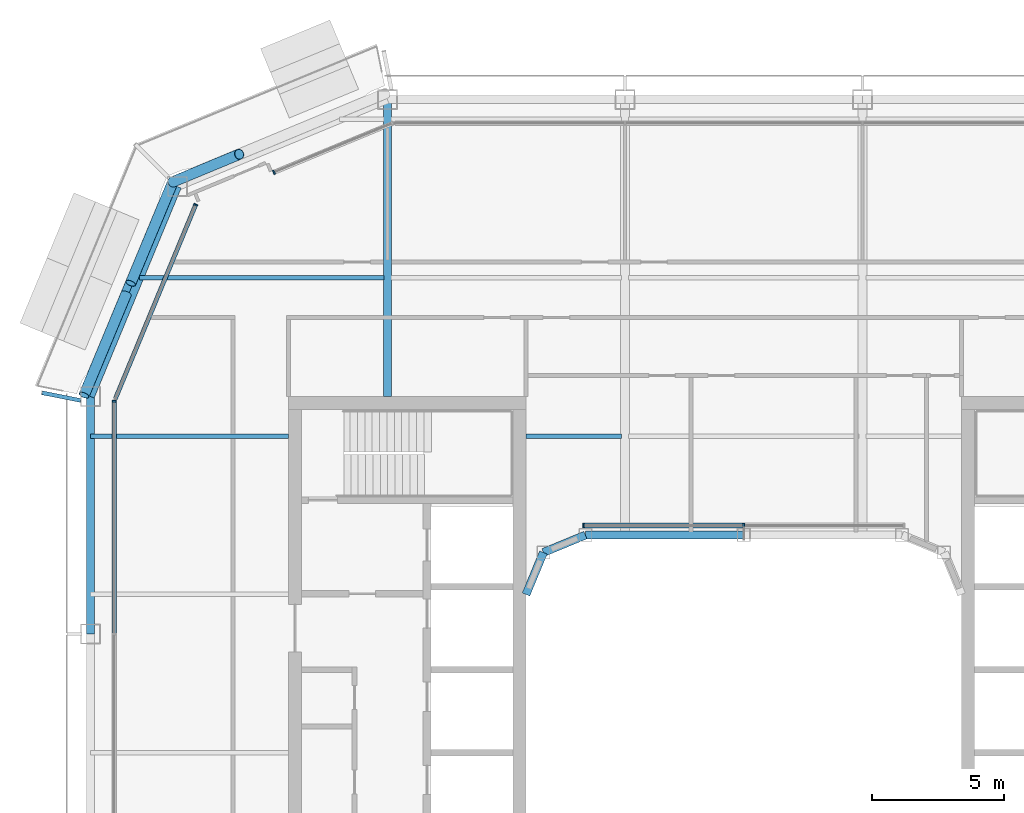
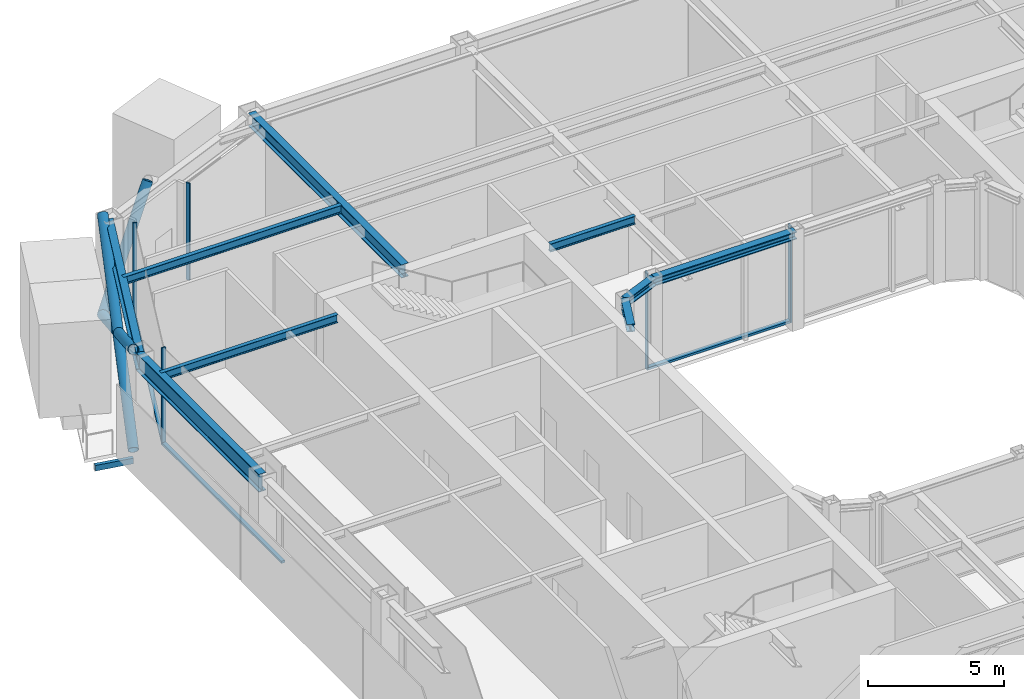
# One storey, part 6 of 21: 12 members, 10 beams, 4 elements without a shape of their own.
"""IFC4 building model written with IfcOpenShell, lengths in metres."""

from ifc_helpers import new_model, si_unit, direction, frame, origin, origin_2d, place, context, subcontext, project, spatial, rectangle, hollow_rectangle, hollow_circle, i_section, extrude, material, layer, layer_set, material_profile, profile_set, type_object, element, aggregate, save


model = new_model("IFC4")

# Units and contexts
model_context = context("Model", 3, precision=1e-05, world=origin(), true_north=direction((0.0, 1.0)))
body_context = subcontext(model_context, "Body", "Model", "MODEL_VIEW")
ifc_project = project(units=[si_unit("LENGTHUNIT", "METRE"), si_unit("AREAUNIT", "SQUARE_METRE"), si_unit("VOLUMEUNIT", "CUBIC_METRE"), si_unit("PLANEANGLEUNIT", "RADIAN"), si_unit("MASSUNIT", "GRAM", prefix="KILO")], contexts=[model_context])

# Site, building, storey
site_placement = place(None, origin())
site = spatial("IfcSite", under=ifc_project, at=site_placement, CompositionType="ELEMENT")
building_placement = place(site_placement, origin())
building = spatial("IfcBuilding", under=site, at=building_placement, Name="Siwar Civic Tower", CompositionType="ELEMENT")
storey_placement = place(building_placement, frame((0.0, 0.0, 294.199951171875)))
storey = spatial("IfcBuildingStorey", under=building, at=storey_placement, Name="L63", CompositionType="ELEMENT", Elevation=294.199951171875)

# Beam
ifc_material_1 = material(Name="Steel S355", Category="steel")
ifc_material_profile_1 = material_profile(ifc_material_1, hollow_rectangle(XDim=0.14990234375, YDim=0.25, WallThickness=0.010009765625, at=origin_2d()), Name="RHS250x150x10")
ifc_profile_set_1 = profile_set([ifc_material_profile_1], Name="Steel S355")
beam_type_1 = type_object("IfcBeamType", Name="ENV-BALCONY ARM", PredefinedType="BEAM", material=ifc_profile_set_1)
beam_1_placement = place(storey_placement, frame((-25.125, 13.350341796875, -0.27490234375), z_axis=(-0.980800841714, 0.195012073712, 0.0), x_axis=(-0.195012073712, -0.980800841714, 0.0)))
element("IfcBeam", 1, at=beam_1_placement, inside=storey, type_object=beam_type_1, Name="Balcony cantilever beam NW 3", PredefinedType="BEAM", context=body_context, shape_type="SweptSolid", body=[
    extrude(hollow_rectangle(XDim=0.14990234375, YDim=0.25, WallThickness=0.010009765625, at=origin_2d()), origin(), (0.0, 0.0, 1.0), 1.488525390625),
])

# Curtain wall, member
ifc_material_2 = material(Name="Aluminium clad insulated panel", Category="aluminium")
ifc_layer_1 = layer(ifc_material_2, 0.159912109375)
ifc_layer_set_1 = layer_set([ifc_layer_1], Name="Aluminium clad insulated panel")
curtain_wall_type_1 = type_object("IfcCurtainWallType", Name="ENV-CW-DX", PredefinedType="NOTDEFINED", material=ifc_layer_set_1)
curtain_wall_1_placement = place(storey_placement, origin())
curtain_wall_1 = element("IfcCurtainWall", 2, at=curtain_wall_1_placement, inside=storey, type_object=curtain_wall_type_1, Name="Curtain wall D NW1", PredefinedType="NOTDEFINED")
ifc_material_3 = material(Name="Aluminium 6063-T6", Category="aluminium")
ifc_material_profile_2 = material_profile(ifc_material_3, rectangle(XDim=0.159912109375, YDim=0.06005859375, at=origin_2d()), Name="AL 160x60")
ifc_profile_set_2 = profile_set([ifc_material_profile_2], Name="Aluminium 6063-T6")
member_type_1 = type_object("IfcMemberType", Name="ENV-MULLION-D", PredefinedType="MULLION", material=ifc_profile_set_2)
member_1_placement = place(storey_placement, frame((-17.799072265625, 21.9951171875, 0.0), z_axis=(0.0, 0.0, 1.0), x_axis=(0.382683432365, -0.923879532511, 0.0)))
member_1 = element("IfcMember", 3, at=member_1_placement, type_object=member_type_1, Name="Mullion D NW1 2", PredefinedType="MULLION", context=body_context, shape_type="SweptSolid", body=[
    extrude(rectangle(XDim=0.159912109375, YDim=0.06005859375, at=origin_2d()), origin(), (0.0, 0.0, 1.0), 4.35009765625),
])
aggregate(curtain_wall_1, [member_1])

curtain_wall_2_placement = place(storey_placement, origin())
curtain_wall_2 = element("IfcCurtainWall", 4, at=curtain_wall_2_placement, inside=storey, type_object=curtain_wall_type_1, Name="Curtain wall D NW2", PredefinedType="NOTDEFINED")
member_2_placement = place(storey_placement, frame((-20.76611328125, 20.76611328125, 0.0), z_axis=(0.0, 0.0, 1.0), x_axis=(0.923879532511, -0.382683432365, 0.0)))
member_2 = element("IfcMember", 5, at=member_2_placement, type_object=member_type_1, Name="Mullion D NW2 1", PredefinedType="MULLION", context=body_context, shape_type="SweptSolid", body=[
    extrude(rectangle(XDim=0.159912109375, YDim=0.06005859375, at=origin_2d()), origin(), (0.0, 0.0, 1.0), 4.35009765625),
])

ifc_material_4 = material(Name="Aluminium and glass", Category="aluminium")
ifc_layer_2 = layer(ifc_material_4, 0.159912109375)
ifc_layer_set_2 = layer_set([ifc_layer_2], Name="Aluminium and glass")
curtain_wall_type_2 = type_object("IfcCurtainWallType", Name="ENV-CW-D", PredefinedType="NOTDEFINED", material=ifc_layer_set_2)
curtain_wall_3_placement = place(storey_placement, origin())
curtain_wall_3 = element("IfcCurtainWall", 6, at=curtain_wall_3_placement, inside=storey, type_object=curtain_wall_type_2, Name="Curtain wall D W", PredefinedType="NOTDEFINED")
member_3_placement = place(storey_placement, frame((-23.85009765625, 13.321044921875, 0.0), z_axis=(0.0, 0.0, 1.0), x_axis=(1.0, 0.0, 0.0)))
member_3 = element("IfcMember", 7, at=member_3_placement, type_object=member_type_1, Name="Mullion D W 1", PredefinedType="MULLION", context=body_context, shape_type="SweptSolid", body=[
    extrude(rectangle(XDim=0.159912109375, YDim=0.06005859375, at=origin_2d()), origin(), (0.0, 0.0, 1.0), 4.35009765625),
])

# Curtain wall, members
ifc_material_5 = material(Name="Aluminium and glass", Category="aluminium")
ifc_layer_3 = layer(ifc_material_5, 0.179931640625)
ifc_layer_set_3 = layer_set([ifc_layer_3], Name="Aluminium and glass")
curtain_wall_type_3 = type_object("IfcCurtainWallType", Name="ENV-CW-W", PredefinedType="NOTDEFINED", material=ifc_layer_set_3)
curtain_wall_4_placement = place(storey_placement, origin())
curtain_wall_4 = element("IfcCurtainWall", 8, at=curtain_wall_4_placement, inside=storey, type_object=curtain_wall_type_3, Name="Curtain wall W WN", PredefinedType="NOTDEFINED")
ifc_material_6 = material(Name="Aluminium 6063-T6", Category="aluminium")
ifc_material_profile_3 = material_profile(ifc_material_6, rectangle(XDim=0.179931640625, YDim=0.06005859375, at=origin_2d()), Name="AL 180x60")
ifc_profile_set_3 = profile_set([ifc_material_profile_3], Name="Aluminium 6063-T6")
member_type_2 = type_object("IfcMemberType", Name="ENV-MULLION-W", PredefinedType="MULLION", material=ifc_profile_set_3)
member_4_placement = place(storey_placement, frame((0.0, 8.610107421875, 0.0), z_axis=(0.0, 0.0, 1.0), x_axis=(0.0, -1.0, 0.0)))
member_4 = element("IfcMember", 9, at=member_4_placement, type_object=member_type_2, Name="Mullion W WN 2", PredefinedType="MULLION", context=body_context, shape_type="SweptSolid", body=[
    extrude(rectangle(XDim=0.179931640625, YDim=0.06005859375, at=origin_2d()), origin(), (0.0, 0.0, 1.0), 4.35009765625),
])
member_5_placement = place(storey_placement, frame((-6.071533203125, 8.610107421875, 0.0), z_axis=(0.0, 0.0, 1.0), x_axis=(0.0, -1.0, 0.0)))
member_5 = element("IfcMember", 10, at=member_5_placement, type_object=member_type_2, Name="Mullion W WN 3", PredefinedType="MULLION", context=body_context, shape_type="SweptSolid", body=[
    extrude(rectangle(XDim=0.179931640625, YDim=0.06005859375, at=origin_2d()), origin(), (0.0, 0.0, 1.0), 4.35009765625),
])

# Member
ifc_material_7 = material(Name="Aluminium 6063-T6", Category="aluminium")
ifc_material_profile_4 = material_profile(ifc_material_7, rectangle(XDim=0.159912109375, YDim=0.10009765625, at=origin_2d()), Name="AL 160x100")
ifc_profile_set_4 = profile_set([ifc_material_profile_4], Name="Aluminium 6063-T6")
member_type_3 = type_object("IfcMemberType", Name="ENV-TRANSOM-D", PredefinedType="USERDEFINED", material=ifc_profile_set_4)
member_6_placement = place(storey_placement, frame((-20.777587890625, 20.738525390625, 0.050048828125), z_axis=(-0.382673515031, -0.923883640343, 0.0), x_axis=(0.923883640343, -0.382673515031, 0.0)))
member_6 = element("IfcMember", 11, at=member_6_placement, type_object=member_type_3, Name="Transom D NW2 1", ObjectType="TRANSOM", PredefinedType="USERDEFINED", context=body_context, shape_type="SweptSolid", body=[
    extrude(rectangle(XDim=0.159912109375, YDim=0.10009765625, at=origin_2d()), origin(), (0.0, 0.0, 1.0), 7.930908203125),
])

aggregate(curtain_wall_2, [member_2, member_6])

member_7_placement = place(storey_placement, frame((-23.85009765625, 13.291015625, 0.050048828125), z_axis=(0.0, -1.0, 0.0), x_axis=(1.0, 0.0, 0.0)))
member_7 = element("IfcMember", 12, at=member_7_placement, type_object=member_type_3, Name="Transom D W 1", ObjectType="TRANSOM", PredefinedType="USERDEFINED", context=body_context, shape_type="SweptSolid", body=[
    extrude(rectangle(XDim=0.159912109375, YDim=0.10009765625, at=origin_2d()), origin(), (0.0, 0.0, 1.0), 8.760986328125),
])

aggregate(curtain_wall_3, [member_3, member_7])

ifc_material_8 = material(Name="Aluminium 6063-T6", Category="aluminium")
ifc_material_profile_5 = material_profile(ifc_material_8, rectangle(XDim=0.179931640625, YDim=0.10009765625, at=origin_2d()), Name="AL 180x100")
ifc_profile_set_5 = profile_set([ifc_material_profile_5], Name="Aluminium 6063-T6")
member_type_4 = type_object("IfcMemberType", Name="ENV-TRANSOM-W", PredefinedType="USERDEFINED", material=ifc_profile_set_5)
member_8_placement = place(storey_placement, frame((-0.030029296875, 8.610107421875, 0.050048828125), z_axis=(-1.0, 0.0, 0.0), x_axis=(0.0, -1.0, 0.0)))
member_8 = element("IfcMember", 13, at=member_8_placement, type_object=member_type_4, Name="Transom W WN 2", ObjectType="TRANSOM", PredefinedType="USERDEFINED", context=body_context, shape_type="SweptSolid", body=[
    extrude(rectangle(XDim=0.179931640625, YDim=0.10009765625, at=origin_2d()), origin(), (0.0, 0.0, 1.0), 6.011474609375),
])

aggregate(curtain_wall_4, [member_4, member_5, member_8])

# Members
ifc_material_9 = material(Name="Steel S355", Category="steel")
ifc_material_profile_6 = material_profile(ifc_material_9, hollow_circle(Radius=0.203125, WallThickness=0.01611328125, at=origin_2d()), Name="CHS406.4x16")
ifc_profile_set_6 = profile_set([ifc_material_profile_6], Name="Steel S355")
member_type_5 = type_object("IfcMemberType", Name="STR-BR-CHS406.4x16", PredefinedType="BRACE", material=ifc_profile_set_6)
member_9_placement = place(storey_placement, frame((-24.9951171875, 13.548828125, 0.0), z_axis=(0.341671493852, 0.821142553604, 0.457149315816), x_axis=(-0.923264922524, 0.384163874976, 0.0)))
element("IfcMember", 14, at=member_9_placement, inside=storey, type_object=member_type_5, Name="L63/brc/DNW1-2-0-1", PredefinedType="BRACE", context=body_context, shape_type="SweptSolid", body=[
    extrude(hollow_circle(Radius=0.203125, WallThickness=0.01611328125, at=origin_2d()), origin(), (0.0, 0.0, 1.0), 9.843505859375),
])
member_10_placement = place(storey_placement, frame((-21.6318359375, 21.6318359375, 0.0), z_axis=(-0.341644380467, -0.821147096886, 0.457161418507), x_axis=(0.923276488787, -0.38413607648, 0.0)))
element("IfcMember", 15, at=member_10_placement, inside=storey, type_object=member_type_5, Name="L63/brc/DNW1-2-0-2", PredefinedType="BRACE", context=body_context, shape_type="SweptSolid", body=[
    extrude(hollow_circle(Radius=0.203125, WallThickness=0.01611328125, at=origin_2d()), origin(), (0.0, 0.0, 1.0), 4.677001953125),
])
member_11_placement = place(storey_placement, frame((-23.397216796875, 17.38916015625, 2.362060546875), z_axis=(-0.341667178655, -0.821149689876, 0.457139722456), x_axis=(0.923267827529, -0.384156893273, 0.0)))
element("IfcMember", 16, at=member_11_placement, inside=storey, type_object=member_type_5, Name="L63/brc/DNW1-2-0-3", PredefinedType="BRACE", context=body_context, shape_type="SweptSolid", body=[
    extrude(hollow_circle(Radius=0.203125, WallThickness=0.01611328125, at=origin_2d()), origin(), (0.0, 0.0, 1.0), 4.6767578125),
])
member_12_placement = place(storey_placement, frame((-21.6318359375, 21.6318359375, 0.0), z_axis=(0.478099094869, 0.198925611165, 0.855482236349), x_axis=(-0.384150749045, 0.92327038402, 0.0)))
element("IfcMember", 17, at=member_12_placement, inside=storey, type_object=member_type_5, Name="L63/brc/DNW1-2-0-6", PredefinedType="BRACE", context=body_context, shape_type="SweptSolid", body=[
    extrude(hollow_circle(Radius=0.203125, WallThickness=0.01611328125, at=origin_2d()), origin(), (0.0, 0.0, 1.0), 5.26025390625),
])

# Beams
ifc_material_10 = material(Name="Steel S355", Category="steel")
ifc_material_profile_7 = material_profile(ifc_material_10, i_section(OverallWidth=0.169921875, OverallDepth=0.360107421875, WebThickness=0.008056640625, FlangeThickness=0.0126953125, FilletRadius=0.01806640625, at=origin_2d()), Name="IPE360")
ifc_profile_set_7 = profile_set([ifc_material_profile_7], Name="Steel S355")
beam_type_2 = type_object("IfcBeamType", Name="STR-FB-IPE360", PredefinedType="JOIST", material=ifc_profile_set_7)
beam_2_placement = place(storey_placement, frame((-24.75, 12.0, 4.170166015625), z_axis=(1.0, 0.0, 0.0), x_axis=(0.0, 1.0, 0.0)))
element("IfcBeam", 18, at=beam_2_placement, inside=storey, type_object=beam_type_2, Name="L63/bm/F022", PredefinedType="JOIST", context=body_context, shape_type="SweptSolid", body=[
    extrude(i_section(OverallWidth=0.169921875, OverallDepth=0.360107421875, WebThickness=0.008056640625, FlangeThickness=0.0126953125, FilletRadius=0.01806640625, at=origin_2d()), origin(), (0.0, 0.0, 1.0), 7.5),
])
beam_3_placement = place(storey_placement, frame((-8.25, 12.0, 4.170166015625), z_axis=(1.0, 0.0, 0.0), x_axis=(0.0, 1.0, 0.0)))
element("IfcBeam", 19, at=beam_3_placement, inside=storey, type_object=beam_type_2, Name="L63/bm/F023", PredefinedType="JOIST", context=body_context, shape_type="SweptSolid", body=[
    extrude(i_section(OverallWidth=0.169921875, OverallDepth=0.360107421875, WebThickness=0.008056640625, FlangeThickness=0.0126953125, FilletRadius=0.01806640625, at=origin_2d()), origin(), (0.0, 0.0, 1.0), 3.6201171875),
])
beam_4_placement = place(storey_placement, frame((-22.885986328125, 18.0, 4.170166015625), z_axis=(1.0, 0.0, 0.0), x_axis=(0.0, 1.0, 0.0)))
element("IfcBeam", 20, at=beam_4_placement, inside=storey, type_object=beam_type_2, Name="L63/bm/F027", PredefinedType="JOIST", context=body_context, shape_type="SweptSolid", body=[
    extrude(i_section(OverallWidth=0.169921875, OverallDepth=0.360107421875, WebThickness=0.008056640625, FlangeThickness=0.0126953125, FilletRadius=0.01806640625, at=origin_2d()), origin(), (0.0, 0.0, 1.0), 9.256103515625),
])
ifc_material_11 = material(Name="Steel S355", Category="steel")
ifc_material_profile_8 = material_profile(ifc_material_11, i_section(OverallWidth=0.300048828125, OverallDepth=0.60009765625, WebThickness=0.015380859375, FlangeThickness=0.030029296875, FilletRadius=0.027099609375, at=origin_2d()), Name="HEB600")
ifc_profile_set_8 = profile_set([ifc_material_profile_8], Name="Steel S355")
beam_type_3 = type_object("IfcBeamType", Name="STR-PG-HEB600", PredefinedType="BEAM", material=ifc_profile_set_8)
beam_5_placement = place(storey_placement, frame((-13.5, 13.5, 4.050048828125), z_axis=(0.0, 1.0, 0.0), x_axis=(-1.0, 0.0, 0.0)))
element("IfcBeam", 21, at=beam_5_placement, inside=storey, type_object=beam_type_3, Name="L63/bm/G02", PredefinedType="BEAM", context=body_context, shape_type="SweptSolid", body=[
    extrude(i_section(OverallWidth=0.300048828125, OverallDepth=0.60009765625, WebThickness=0.015380859375, FlangeThickness=0.030029296875, FilletRadius=0.027099609375, at=origin_2d()), origin(), (0.0, 0.0, 1.0), 11.25),
])
ifc_material_12 = material(Name="Steel S355", Category="steel")
ifc_material_profile_9 = material_profile(ifc_material_12, i_section(OverallWidth=0.31005859375, OverallDepth=0.340087890625, WebThickness=0.02099609375, FlangeThickness=0.0390625, FilletRadius=0.027099609375, at=origin_2d()), Name="HEM300")
ifc_profile_set_9 = profile_set([ifc_material_profile_9], Name="Steel S355")
beam_type_4 = type_object("IfcBeamType", Name="STR-RB-HEM300", PredefinedType="BEAM", material=ifc_profile_set_9)
beam_6_placement = place(storey_placement, frame((-7.591064453125, 7.591064453125, 4.179931640625), z_axis=(0.923901072997, 0.382631424892, 0.0), x_axis=(-0.382631424892, 0.923901072997, 0.0)))
element("IfcBeam", 22, at=beam_6_placement, inside=storey, type_object=beam_type_4, Name="L63/bm/RN0", PredefinedType="BEAM", context=body_context, shape_type="SweptSolid", body=[
    extrude(i_section(OverallWidth=0.31005859375, OverallDepth=0.340087890625, WebThickness=0.02099609375, FlangeThickness=0.0390625, FilletRadius=0.027099609375, at=origin_2d()), origin(), (0.0, 0.0, 1.0), 1.72216796875),
])
beam_7_placement = place(storey_placement, frame((-6.0, 8.25, 4.179931640625), z_axis=(1.0, 0.0, 0.0), x_axis=(0.0, 1.0, 0.0)))
element("IfcBeam", 23, at=beam_7_placement, inside=storey, type_object=beam_type_4, Name="L63/bm/RN1", PredefinedType="BEAM", context=body_context, shape_type="SweptSolid", body=[
    extrude(i_section(OverallWidth=0.31005859375, OverallDepth=0.340087890625, WebThickness=0.02099609375, FlangeThickness=0.0390625, FilletRadius=0.027099609375, at=origin_2d()), origin(), (0.0, 0.0, 1.0), 6.0),
])
beam_8_placement = place(storey_placement, frame((-7.591064453125, 7.591064453125, 4.179931640625), z_axis=(-0.382631424892, -0.923901072997, 0.0), x_axis=(0.923901072997, -0.382631424892, 0.0)))
element("IfcBeam", 24, at=beam_8_placement, inside=storey, type_object=beam_type_4, Name="L63/bm/RNEW", PredefinedType="BEAM", context=body_context, shape_type="SweptSolid", body=[
    extrude(i_section(OverallWidth=0.31005859375, OverallDepth=0.340087890625, WebThickness=0.02099609375, FlangeThickness=0.0390625, FilletRadius=0.027099609375, at=origin_2d()), origin(), (0.0, 0.0, 1.0), 1.72216796875),
])
ifc_material_13 = material(Name="Steel S355", Category="steel")
ifc_material_profile_10 = material_profile(ifc_material_13, i_section(OverallWidth=0.300048828125, OverallDepth=0.800048828125, WebThickness=0.017578125, FlangeThickness=0.032958984375, FilletRadius=0.030029296875, at=origin_2d()), Name="HEB800")
ifc_profile_set_10 = profile_set([ifc_material_profile_10], Name="Steel S355")
beam_type_5 = type_object("IfcBeamType", Name="STR-SB-HEB800", PredefinedType="BEAM", material=ifc_profile_set_10)
beam_9_placement = place(storey_placement, frame((-21.454833984375, 21.454833984375, 3.949951171875), z_axis=(-0.382699877515, -0.923872720536, 0.0), x_axis=(0.923872720536, -0.382699877515, 0.0)))
element("IfcBeam", 25, at=beam_9_placement, inside=storey, type_object=beam_type_5, Name="L63/bm/SNW2-0", PredefinedType="BEAM", context=body_context, shape_type="SweptSolid", body=[
    extrude(i_section(OverallWidth=0.300048828125, OverallDepth=0.800048828125, WebThickness=0.017578125, FlangeThickness=0.032958984375, FilletRadius=0.030029296875, at=origin_2d()), origin(), (0.0, 0.0, 1.0), 8.6103515625),
])
beam_10_placement = place(storey_placement, frame((-24.75, 13.5, 3.949951171875), z_axis=(0.0, -1.0, 0.0), x_axis=(1.0, 0.0, 0.0)))
element("IfcBeam", 26, at=beam_10_placement, inside=storey, type_object=beam_type_5, Name="L63/bm/SW-0", PredefinedType="BEAM", context=body_context, shape_type="SweptSolid", body=[
    extrude(i_section(OverallWidth=0.300048828125, OverallDepth=0.800048828125, WebThickness=0.017578125, FlangeThickness=0.032958984375, FilletRadius=0.030029296875, at=origin_2d()), origin(), (0.0, 0.0, 1.0), 9.0),
])

save(model, "model.ifc")
